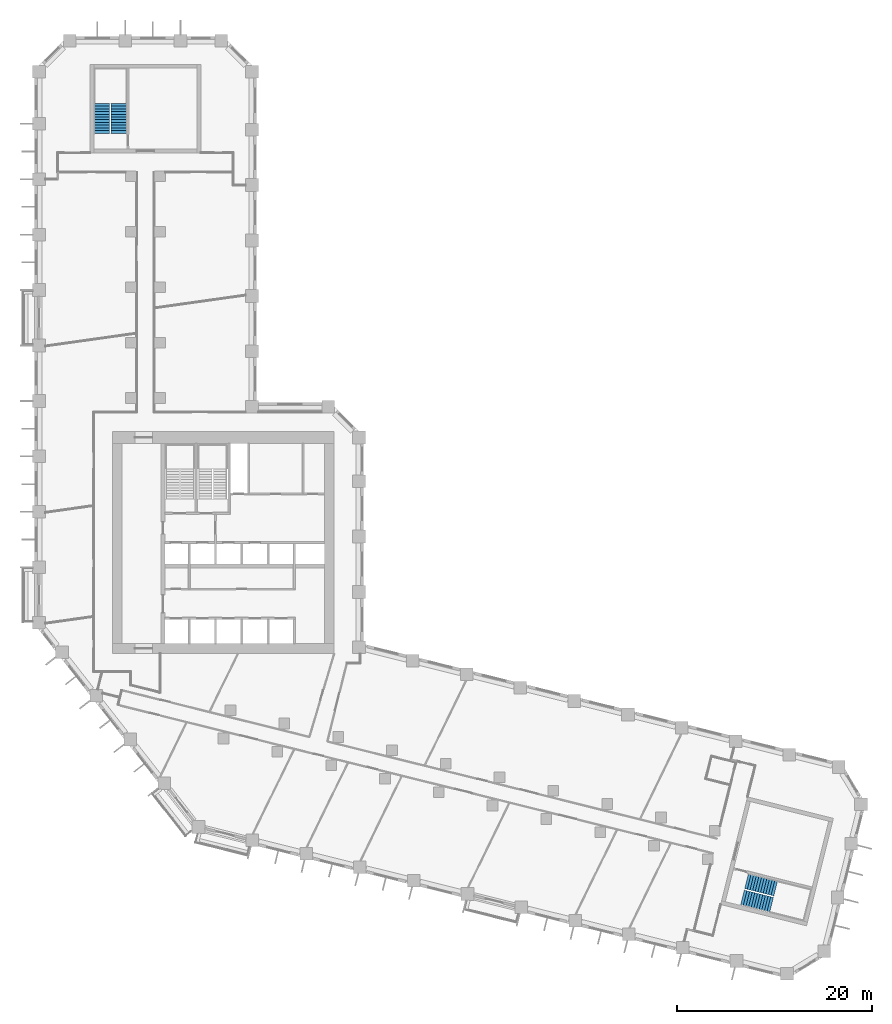
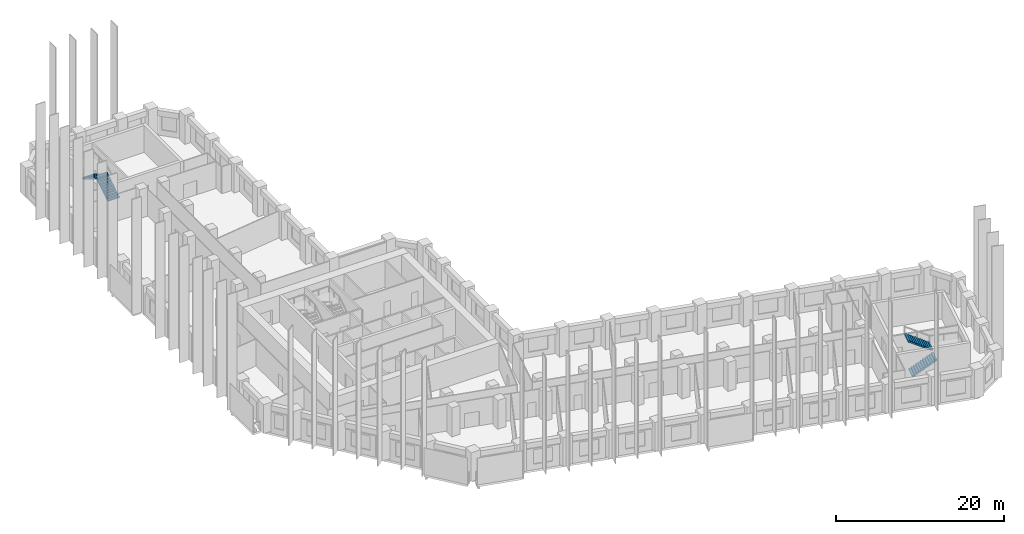
# One storey, part 10 of 11: 4 stair flights, 2 elements without a shape of their own.
"""IFC4 building model written with IfcOpenShell, lengths in metres."""

from ifc_helpers import new_model, si_unit, direction, frame, origin, place, context, subcontext, project, spatial, polyline, outline, extrude, material, type_object, element, aggregate, save


model = new_model("IFC4")

# Units and contexts
model_context = context("Model", 3, precision=1e-05, world=origin(), true_north=direction((0.0, 1.0)))
body_context = subcontext(model_context, "Body", "Model", "MODEL_VIEW")
ifc_project = project(units=[si_unit("LENGTHUNIT", "METRE"), si_unit("AREAUNIT", "SQUARE_METRE"), si_unit("VOLUMEUNIT", "CUBIC_METRE"), si_unit("PLANEANGLEUNIT", "RADIAN"), si_unit("MASSUNIT", "GRAM", prefix="KILO")], contexts=[model_context])

# Site, building, storey
site_placement = place(None, origin())
site = spatial("IfcSite", under=ifc_project, at=site_placement, CompositionType="ELEMENT")
building_placement = place(site_placement, origin())
building = spatial("IfcBuilding", under=site, at=building_placement, Name="Meshkara Civic Tower", CompositionType="ELEMENT")
storey_placement = place(building_placement, frame((0.0, 0.0, 97.199951171875)))
storey = spatial("IfcBuildingStorey", under=building, at=storey_placement, Name="L21", CompositionType="ELEMENT", Elevation=97.199951171875)

# Stair, stair flights
ifc_material_1 = material(Name="Precast concrete C40/50", Category="concrete")
stair_type = type_object("IfcStairType", Name="Exit stair half-turn 24 risers 1600 precast", PredefinedType="HALF_TURN_STAIR", material=ifc_material_1)
stair_1_placement = place(storey_placement, origin())
stair_1 = element("IfcStair", 1, at=stair_1_placement, inside=storey, type_object=stair_type, Name="L21 exit stair A from L20", PredefinedType="HALF_TURN_STAIR")
ifc_material_2 = material(Name="Precast concrete C40/50", Category="concrete")
stair_flight_type = type_object("IfcStairFlightType", Name="Exit stair flight 12 risers 1600 precast", PredefinedType="STRAIGHT", material=ifc_material_2)
stair_flight_1_placement = place(storey_placement, frame((8.675048828125, 67.570068359375, 0.0), z_axis=(0.0, 0.0, 1.0), x_axis=(0.0, 1.0, 0.0)))
stair_flight_1 = element("IfcStairFlight", 2, at=stair_flight_1_placement, type_object=stair_flight_type, Name="ESA2 flight 1", NumberOfRisers=12, NumberOfTreads=11, PredefinedType="STRAIGHT", RiserHeight=0.175, TreadLength=0.28, context=body_context, shape_type="SweptSolid", body=[
    extrude(outline(polyline([(0.0, 0.0), (0.0, 0.175048828125), (0.280029296875, 0.175048828125), (0.280029296875, 0.35009765625), (0.56005859375, 0.35009765625), (0.56005859375, 0.52490234375), (0.840087890625, 0.52490234375), (0.840087890625, 0.699951171875), (1.1201171875, 0.699951171875), (1.1201171875, 0.875), (1.39990234375, 0.875), (1.39990234375, 1.050048828125), (1.679931640625, 1.050048828125), (1.679931640625, 1.22509765625), (1.9599609375, 1.22509765625), (1.9599609375, 1.39990234375), (2.239990234375, 1.39990234375), (2.239990234375, 1.574951171875), (2.52001953125, 1.574951171875), (2.52001953125, 1.75), (2.800048828125, 1.75), (2.800048828125, 1.925048828125), (3.080078125, 1.925048828125), (3.080078125, 2.10009765625), (3.080078125, 1.748291015625), (0.28271484375, 0.0), (0.0, 0.0)])), frame((0.0, 0.800048828125, 0.0), z_axis=(0.0, -1.0, 0.0), x_axis=(1.0, 0.0, 0.0)), (0.0, 0.0, 1.0), 1.60009765625),
])
stair_flight_2_placement = place(storey_placement, frame((6.925048828125, 70.64990234375, 2.10009765625), z_axis=(0.0, 0.0, 1.0), x_axis=(0.0, -1.0, 0.0)))
stair_flight_2 = element("IfcStairFlight", 3, at=stair_flight_2_placement, type_object=stair_flight_type, Name="ESA2 flight 2", NumberOfRisers=12, NumberOfTreads=11, PredefinedType="STRAIGHT", RiserHeight=0.175, TreadLength=0.28, context=body_context, shape_type="SweptSolid", body=[
    extrude(outline(polyline([(0.0, 0.0), (0.0, 0.175048828125), (0.280029296875, 0.175048828125), (0.280029296875, 0.35009765625), (0.56005859375, 0.35009765625), (0.56005859375, 0.52490234375), (0.840087890625, 0.52490234375), (0.840087890625, 0.699951171875), (1.1201171875, 0.699951171875), (1.1201171875, 0.875), (1.39990234375, 0.875), (1.39990234375, 1.050048828125), (1.679931640625, 1.050048828125), (1.679931640625, 1.22509765625), (1.9599609375, 1.22509765625), (1.9599609375, 1.39990234375), (2.239990234375, 1.39990234375), (2.239990234375, 1.574951171875), (2.52001953125, 1.574951171875), (2.52001953125, 1.75), (2.800048828125, 1.75), (2.800048828125, 1.925048828125), (3.080078125, 1.925048828125), (3.080078125, 2.10009765625), (3.080078125, 1.748291015625), (0.28271484375, 0.0), (0.0, 0.0)])), frame((0.0, 0.800048828125, 0.0), z_axis=(0.0, -1.0, 0.0), x_axis=(1.0, 0.0, 0.0)), (0.0, 0.0, 1.0), 1.60009765625),
])
aggregate(stair_1, [stair_flight_1, stair_flight_2])

stair_2_placement = place(storey_placement, origin())
stair_2 = element("IfcStair", 4, at=stair_2_placement, inside=storey, type_object=stair_type, Name="L21 exit stair B from L20", PredefinedType="HALF_TURN_STAIR")
stair_flight_3_placement = place(storey_placement, frame((72.7685546875, -11.00634765625, 0.0), z_axis=(0.0, 0.0, 1.0), x_axis=(0.970260066579, -0.242064873955, 0.0)))
stair_flight_3 = element("IfcStairFlight", 5, at=stair_flight_3_placement, type_object=stair_flight_type, Name="ESB2 flight 1", NumberOfRisers=12, NumberOfTreads=11, PredefinedType="STRAIGHT", RiserHeight=0.175, TreadLength=0.28, context=body_context, shape_type="SweptSolid", body=[
    extrude(outline(polyline([(0.0, 0.0), (0.0, 0.175048828125), (0.280029296875, 0.175048828125), (0.280029296875, 0.35009765625), (0.56005859375, 0.35009765625), (0.56005859375, 0.52490234375), (0.840087890625, 0.52490234375), (0.840087890625, 0.699951171875), (1.1201171875, 0.699951171875), (1.1201171875, 0.875), (1.39990234375, 0.875), (1.39990234375, 1.050048828125), (1.679931640625, 1.050048828125), (1.679931640625, 1.22509765625), (1.9599609375, 1.22509765625), (1.9599609375, 1.39990234375), (2.239990234375, 1.39990234375), (2.239990234375, 1.574951171875), (2.52001953125, 1.574951171875), (2.52001953125, 1.75), (2.800048828125, 1.75), (2.800048828125, 1.925048828125), (3.080078125, 1.925048828125), (3.080078125, 2.10009765625), (3.080078125, 1.748291015625), (0.28271484375, 0.0), (0.0, 0.0)])), frame((0.0, 0.800048828125, 0.0), z_axis=(0.0, -1.0, 0.0), x_axis=(1.0, 0.0, 0.0)), (0.0, 0.0, 1.0), 1.60009765625),
])
stair_flight_4_placement = place(storey_placement, frame((76.1806640625, -10.053955078125, 2.10009765625), z_axis=(0.0, 0.0, 1.0), x_axis=(-0.970260066579, 0.242064873955, 0.0)))
stair_flight_4 = element("IfcStairFlight", 6, at=stair_flight_4_placement, type_object=stair_flight_type, Name="ESB2 flight 2", NumberOfRisers=12, NumberOfTreads=11, PredefinedType="STRAIGHT", RiserHeight=0.175, TreadLength=0.28, context=body_context, shape_type="SweptSolid", body=[
    extrude(outline(polyline([(0.0, 0.0), (0.0, 0.175048828125), (0.280029296875, 0.175048828125), (0.280029296875, 0.35009765625), (0.56005859375, 0.35009765625), (0.56005859375, 0.52490234375), (0.840087890625, 0.52490234375), (0.840087890625, 0.699951171875), (1.1201171875, 0.699951171875), (1.1201171875, 0.875), (1.39990234375, 0.875), (1.39990234375, 1.050048828125), (1.679931640625, 1.050048828125), (1.679931640625, 1.22509765625), (1.9599609375, 1.22509765625), (1.9599609375, 1.39990234375), (2.239990234375, 1.39990234375), (2.239990234375, 1.574951171875), (2.52001953125, 1.574951171875), (2.52001953125, 1.75), (2.800048828125, 1.75), (2.800048828125, 1.925048828125), (3.080078125, 1.925048828125), (3.080078125, 2.10009765625), (3.080078125, 1.748291015625), (0.28271484375, 0.0), (0.0, 0.0)])), frame((0.0, 0.800048828125, 0.0), z_axis=(0.0, -1.0, 0.0), x_axis=(1.0, 0.0, 0.0)), (0.0, 0.0, 1.0), 1.60009765625),
])
aggregate(stair_2, [stair_flight_3, stair_flight_4])

save(model, "model.ifc")
